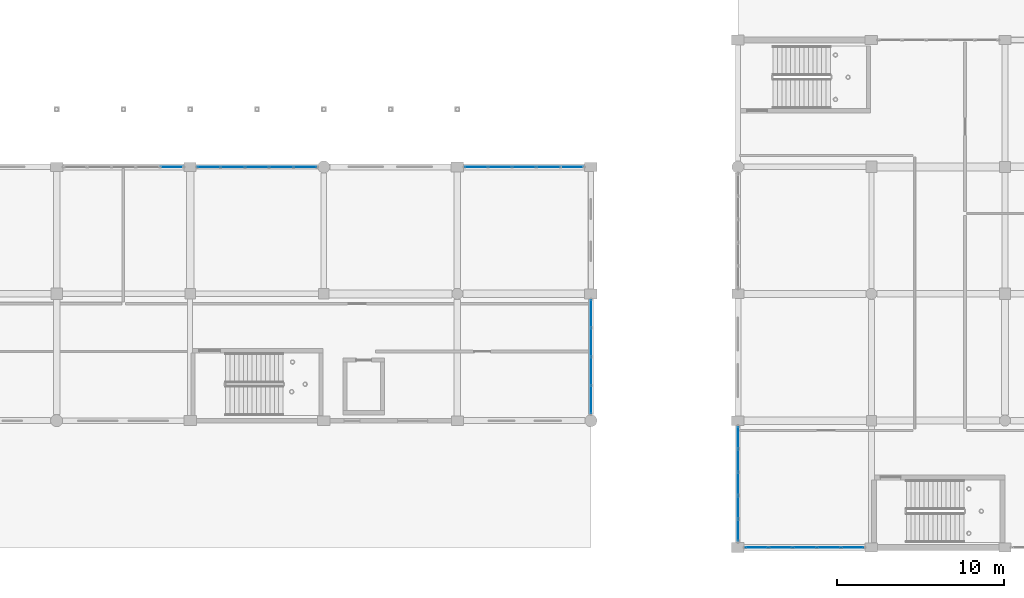
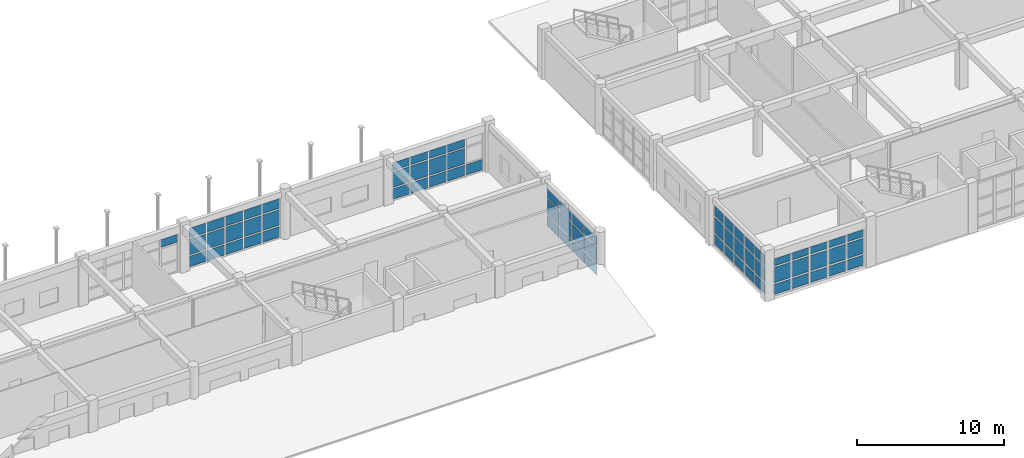
# One storey, part 146 of 195: 71 plates, 6 elements without a shape of their own.
"""IFC4 building model written with IfcOpenShell, lengths in metres."""

from ifc_helpers import new_model, si_unit, direction, frame, origin, origin_2d, place, context, subcontext, project, spatial, rectangle, extrude, material, layer, layer_set, type_object, element, aggregate, save


model = new_model("IFC4")

# Units and contexts
model_context = context("Model", 3, precision=1e-05, world=origin(), true_north=direction((0.0, 1.0)))
body_context = subcontext(model_context, "Body", "Model", "MODEL_VIEW")
ifc_project = project(units=[si_unit("LENGTHUNIT", "METRE"), si_unit("AREAUNIT", "SQUARE_METRE"), si_unit("VOLUMEUNIT", "CUBIC_METRE"), si_unit("PLANEANGLEUNIT", "RADIAN"), si_unit("MASSUNIT", "GRAM", prefix="KILO")], contexts=[model_context])

# Site, building, storey
site_placement = place(None, origin())
site = spatial("IfcSite", under=ifc_project, at=site_placement, CompositionType="ELEMENT")
building_placement = place(site_placement, origin())
building = spatial("IfcBuilding", under=site, at=building_placement, Name="Kharva Crest Polytechnic", CompositionType="ELEMENT")
storey_placement = place(building_placement, frame((0.0, 0.0, 9.0)))
storey = spatial("IfcBuildingStorey", under=building, at=storey_placement, Name="L02", CompositionType="ELEMENT", Elevation=9.0)

# Curtain wall, plates
ifc_material = material(Name="Tempered insulated glass", Category="glass")
curtain_wall_type_1 = type_object("IfcCurtainWallType", Name="CW-SYS-COURT", PredefinedType="USERDEFINED", material=ifc_material)
curtain_wall_1_placement = place(storey_placement, origin())
curtain_wall_1 = element("IfcCurtainWall", 1, at=curtain_wall_1_placement, inside=storey, type_object=curtain_wall_type_1, Name="L02 Glazed Curtain Wall CW-080", ObjectType="CURTAIN WALL", PredefinedType="USERDEFINED")
ifc_layer_1 = layer(ifc_material, 0.02392578125, Name="Tempered insulated glass")
ifc_layer_set_1 = layer_set([ifc_layer_1], Name="Tempered insulated glass")
plate_type_1 = type_object("IfcPlateType", Name="CWP-GLZ-24", PredefinedType="CURTAIN_PANEL", material=ifc_layer_set_1)
plate_1_placement = place(storey_placement, frame((112.0, 8.851318359375, 0.119873046875), z_axis=(0.0, 0.0, 1.0), x_axis=(0.0, 1.0, 0.0)))
plate_1 = element("IfcPlate", 2, at=plate_1_placement, type_object=plate_type_1, Name="CW-080 panel 1.1", PredefinedType="CURTAIN_PANEL", context=body_context, shape_type="SweptSolid", body=[
    extrude(rectangle(XDim=1.612548828125, YDim=0.02392578125, at=origin_2d()), origin(), (0.0, 0.0, 1.0), 0.8701171875),
])
plate_2_placement = place(storey_placement, frame((112.0, 8.851318359375, 1.10986328125), z_axis=(0.0, 0.0, 1.0), x_axis=(0.0, 1.0, 0.0)))
plate_2 = element("IfcPlate", 3, at=plate_2_placement, type_object=plate_type_1, Name="CW-080 panel 1.2", PredefinedType="CURTAIN_PANEL", context=body_context, shape_type="SweptSolid", body=[
    extrude(rectangle(XDim=1.612548828125, YDim=0.02392578125, at=origin_2d()), origin(), (0.0, 0.0, 1.0), 1.280029296875),
])
plate_3_placement = place(storey_placement, frame((112.0, 8.851318359375, 2.510009765625), z_axis=(0.0, 0.0, 1.0), x_axis=(0.0, 1.0, 0.0)))
plate_3 = element("IfcPlate", 4, at=plate_3_placement, type_object=plate_type_1, Name="CW-080 panel 1.3", PredefinedType="CURTAIN_PANEL", context=body_context, shape_type="SweptSolid", body=[
    extrude(rectangle(XDim=1.612548828125, YDim=0.02392578125, at=origin_2d()), origin(), (0.0, 0.0, 1.0), 0.77001953125),
])
plate_4_placement = place(storey_placement, frame((112.0, 10.563720703125, 0.119873046875), z_axis=(0.0, 0.0, 1.0), x_axis=(0.0, 1.0, 0.0)))
plate_4 = element("IfcPlate", 5, at=plate_4_placement, type_object=plate_type_1, Name="CW-080 panel 2.1", PredefinedType="CURTAIN_PANEL", context=body_context, shape_type="SweptSolid", body=[
    extrude(rectangle(XDim=1.652587890625, YDim=0.02392578125, at=origin_2d()), origin(), (0.0, 0.0, 1.0), 0.8701171875),
])
plate_5_placement = place(storey_placement, frame((112.0, 10.563720703125, 1.10986328125), z_axis=(0.0, 0.0, 1.0), x_axis=(0.0, 1.0, 0.0)))
plate_5 = element("IfcPlate", 6, at=plate_5_placement, type_object=plate_type_1, Name="CW-080 panel 2.2", PredefinedType="CURTAIN_PANEL", context=body_context, shape_type="SweptSolid", body=[
    extrude(rectangle(XDim=1.652587890625, YDim=0.02392578125, at=origin_2d()), origin(), (0.0, 0.0, 1.0), 1.280029296875),
])
plate_6_placement = place(storey_placement, frame((112.0, 10.563720703125, 2.510009765625), z_axis=(0.0, 0.0, 1.0), x_axis=(0.0, 1.0, 0.0)))
plate_6 = element("IfcPlate", 7, at=plate_6_placement, type_object=plate_type_1, Name="CW-080 panel 2.3", PredefinedType="CURTAIN_PANEL", context=body_context, shape_type="SweptSolid", body=[
    extrude(rectangle(XDim=1.652587890625, YDim=0.02392578125, at=origin_2d()), origin(), (0.0, 0.0, 1.0), 0.77001953125),
])
plate_7_placement = place(storey_placement, frame((112.0, 12.296142578125, 0.119873046875), z_axis=(0.0, 0.0, 1.0), x_axis=(0.0, 1.0, 0.0)))
plate_7 = element("IfcPlate", 8, at=plate_7_placement, type_object=plate_type_1, Name="CW-080 panel 3.1", PredefinedType="CURTAIN_PANEL", context=body_context, shape_type="SweptSolid", body=[
    extrude(rectangle(XDim=1.652587890625, YDim=0.02392578125, at=origin_2d()), origin(), (0.0, 0.0, 1.0), 0.8701171875),
])
plate_8_placement = place(storey_placement, frame((112.0, 12.296142578125, 1.10986328125), z_axis=(0.0, 0.0, 1.0), x_axis=(0.0, 1.0, 0.0)))
plate_8 = element("IfcPlate", 9, at=plate_8_placement, type_object=plate_type_1, Name="CW-080 panel 3.2", PredefinedType="CURTAIN_PANEL", context=body_context, shape_type="SweptSolid", body=[
    extrude(rectangle(XDim=1.652587890625, YDim=0.02392578125, at=origin_2d()), origin(), (0.0, 0.0, 1.0), 1.280029296875),
])
plate_9_placement = place(storey_placement, frame((112.0, 12.296142578125, 2.510009765625), z_axis=(0.0, 0.0, 1.0), x_axis=(0.0, 1.0, 0.0)))
plate_9 = element("IfcPlate", 10, at=plate_9_placement, type_object=plate_type_1, Name="CW-080 panel 3.3", PredefinedType="CURTAIN_PANEL", context=body_context, shape_type="SweptSolid", body=[
    extrude(rectangle(XDim=1.652587890625, YDim=0.02392578125, at=origin_2d()), origin(), (0.0, 0.0, 1.0), 0.77001953125),
])
plate_10_placement = place(storey_placement, frame((112.0, 14.0087890625, 0.119873046875), z_axis=(0.0, 0.0, 1.0), x_axis=(0.0, 1.0, 0.0)))
plate_10 = element("IfcPlate", 11, at=plate_10_placement, type_object=plate_type_1, Name="CW-080 panel 4.1", PredefinedType="CURTAIN_PANEL", context=body_context, shape_type="SweptSolid", body=[
    extrude(rectangle(XDim=1.612548828125, YDim=0.02392578125, at=origin_2d()), origin(), (0.0, 0.0, 1.0), 0.8701171875),
])
plate_11_placement = place(storey_placement, frame((112.0, 14.0087890625, 1.10986328125), z_axis=(0.0, 0.0, 1.0), x_axis=(0.0, 1.0, 0.0)))
plate_11 = element("IfcPlate", 12, at=plate_11_placement, type_object=plate_type_1, Name="CW-080 panel 4.2", PredefinedType="CURTAIN_PANEL", context=body_context, shape_type="SweptSolid", body=[
    extrude(rectangle(XDim=1.612548828125, YDim=0.02392578125, at=origin_2d()), origin(), (0.0, 0.0, 1.0), 1.280029296875),
])
plate_12_placement = place(storey_placement, frame((112.0, 14.0087890625, 2.510009765625), z_axis=(0.0, 0.0, 1.0), x_axis=(0.0, 1.0, 0.0)))
plate_12 = element("IfcPlate", 13, at=plate_12_placement, type_object=plate_type_1, Name="CW-080 panel 4.3", PredefinedType="CURTAIN_PANEL", context=body_context, shape_type="SweptSolid", body=[
    extrude(rectangle(XDim=1.612548828125, YDim=0.02392578125, at=origin_2d()), origin(), (0.0, 0.0, 1.0), 0.77001953125),
])
aggregate(curtain_wall_1, [plate_1, plate_2, plate_3, plate_4, plate_5, plate_6, plate_7, plate_8, plate_9, plate_10, plate_11, plate_12])

curtain_wall_2_placement = place(storey_placement, origin())
curtain_wall_2 = element("IfcCurtainWall", 14, at=curtain_wall_2_placement, inside=storey, type_object=curtain_wall_type_1, Name="L02 Glazed Curtain Wall CW-081", ObjectType="CURTAIN WALL", PredefinedType="USERDEFINED")
plate_13_placement = place(storey_placement, frame((110.8759765625, 22.800048828125, 0.119873046875), z_axis=(0.0, 0.0, 1.0), x_axis=(-1.0, 0.0, 0.0)))
plate_13 = element("IfcPlate", 15, at=plate_13_placement, type_object=plate_type_1, Name="CW-081 panel 1.1", PredefinedType="CURTAIN_PANEL", context=body_context, shape_type="SweptSolid", body=[
    extrude(rectangle(XDim=1.327880859375, YDim=0.02392578125, at=origin_2d()), origin(), (0.0, 0.0, 1.0), 0.8701171875),
])
plate_14_placement = place(storey_placement, frame((109.447998046875, 22.800048828125, 0.119873046875), z_axis=(0.0, 0.0, 1.0), x_axis=(-1.0, 0.0, 0.0)))
plate_14 = element("IfcPlate", 16, at=plate_14_placement, type_object=plate_type_1, Name="CW-081 panel 2.1", PredefinedType="CURTAIN_PANEL", context=body_context, shape_type="SweptSolid", body=[
    extrude(rectangle(XDim=1.367919921875, YDim=0.02392578125, at=origin_2d()), origin(), (0.0, 0.0, 1.0), 0.8701171875),
])
plate_15_placement = place(storey_placement, frame((109.447998046875, 22.800048828125, 1.10986328125), z_axis=(0.0, 0.0, 1.0), x_axis=(-1.0, 0.0, 0.0)))
plate_15 = element("IfcPlate", 17, at=plate_15_placement, type_object=plate_type_1, Name="CW-081 panel 2.2", PredefinedType="CURTAIN_PANEL", context=body_context, shape_type="SweptSolid", body=[
    extrude(rectangle(XDim=1.367919921875, YDim=0.02392578125, at=origin_2d()), origin(), (0.0, 0.0, 1.0), 1.280029296875),
])
plate_16_placement = place(storey_placement, frame((109.447998046875, 22.800048828125, 2.51025390625), z_axis=(0.0, 0.0, 1.0), x_axis=(-1.0, 0.0, 0.0)))
plate_16 = element("IfcPlate", 18, at=plate_16_placement, type_object=plate_type_1, Name="CW-081 panel 2.3", PredefinedType="CURTAIN_PANEL", context=body_context, shape_type="SweptSolid", body=[
    extrude(rectangle(XDim=1.367919921875, YDim=0.02392578125, at=origin_2d()), origin(), (0.0, 0.0, 1.0), 0.639892578125),
])
plate_17_placement = place(storey_placement, frame((108.0, 22.800048828125, 0.119873046875), z_axis=(0.0, 0.0, 1.0), x_axis=(-1.0, 0.0, 0.0)))
plate_17 = element("IfcPlate", 19, at=plate_17_placement, type_object=plate_type_1, Name="CW-081 panel 3.1", PredefinedType="CURTAIN_PANEL", context=body_context, shape_type="SweptSolid", body=[
    extrude(rectangle(XDim=1.367919921875, YDim=0.02392578125, at=origin_2d()), origin(), (0.0, 0.0, 1.0), 0.8701171875),
])
plate_18_placement = place(storey_placement, frame((108.0, 22.800048828125, 1.10986328125), z_axis=(0.0, 0.0, 1.0), x_axis=(-1.0, 0.0, 0.0)))
plate_18 = element("IfcPlate", 20, at=plate_18_placement, type_object=plate_type_1, Name="CW-081 panel 3.2", PredefinedType="CURTAIN_PANEL", context=body_context, shape_type="SweptSolid", body=[
    extrude(rectangle(XDim=1.367919921875, YDim=0.02392578125, at=origin_2d()), origin(), (0.0, 0.0, 1.0), 1.280029296875),
])
plate_19_placement = place(storey_placement, frame((108.0, 22.800048828125, 2.51025390625), z_axis=(0.0, 0.0, 1.0), x_axis=(-1.0, 0.0, 0.0)))
plate_19 = element("IfcPlate", 21, at=plate_19_placement, type_object=plate_type_1, Name="CW-081 panel 3.3", PredefinedType="CURTAIN_PANEL", context=body_context, shape_type="SweptSolid", body=[
    extrude(rectangle(XDim=1.367919921875, YDim=0.02392578125, at=origin_2d()), origin(), (0.0, 0.0, 1.0), 0.639892578125),
])
plate_20_placement = place(storey_placement, frame((106.552001953125, 22.800048828125, 0.119873046875), z_axis=(0.0, 0.0, 1.0), x_axis=(-1.0, 0.0, 0.0)))
plate_20 = element("IfcPlate", 22, at=plate_20_placement, type_object=plate_type_1, Name="CW-081 panel 4.1", PredefinedType="CURTAIN_PANEL", context=body_context, shape_type="SweptSolid", body=[
    extrude(rectangle(XDim=1.367919921875, YDim=0.02392578125, at=origin_2d()), origin(), (0.0, 0.0, 1.0), 0.8701171875),
])
plate_21_placement = place(storey_placement, frame((106.552001953125, 22.800048828125, 1.10986328125), z_axis=(0.0, 0.0, 1.0), x_axis=(-1.0, 0.0, 0.0)))
plate_21 = element("IfcPlate", 23, at=plate_21_placement, type_object=plate_type_1, Name="CW-081 panel 4.2", PredefinedType="CURTAIN_PANEL", context=body_context, shape_type="SweptSolid", body=[
    extrude(rectangle(XDim=1.367919921875, YDim=0.02392578125, at=origin_2d()), origin(), (0.0, 0.0, 1.0), 1.280029296875),
])
plate_22_placement = place(storey_placement, frame((106.552001953125, 22.800048828125, 2.51025390625), z_axis=(0.0, 0.0, 1.0), x_axis=(-1.0, 0.0, 0.0)))
plate_22 = element("IfcPlate", 24, at=plate_22_placement, type_object=plate_type_1, Name="CW-081 panel 4.3", PredefinedType="CURTAIN_PANEL", context=body_context, shape_type="SweptSolid", body=[
    extrude(rectangle(XDim=1.367919921875, YDim=0.02392578125, at=origin_2d()), origin(), (0.0, 0.0, 1.0), 0.639892578125),
])
plate_23_placement = place(storey_placement, frame((105.1240234375, 22.800048828125, 0.119873046875), z_axis=(0.0, 0.0, 1.0), x_axis=(-1.0, 0.0, 0.0)))
plate_23 = element("IfcPlate", 25, at=plate_23_placement, type_object=plate_type_1, Name="CW-081 panel 5.1", PredefinedType="CURTAIN_PANEL", context=body_context, shape_type="SweptSolid", body=[
    extrude(rectangle(XDim=1.327880859375, YDim=0.02392578125, at=origin_2d()), origin(), (0.0, 0.0, 1.0), 0.8701171875),
])
plate_24_placement = place(storey_placement, frame((105.1240234375, 22.800048828125, 1.10986328125), z_axis=(0.0, 0.0, 1.0), x_axis=(-1.0, 0.0, 0.0)))
plate_24 = element("IfcPlate", 26, at=plate_24_placement, type_object=plate_type_1, Name="CW-081 panel 5.2", PredefinedType="CURTAIN_PANEL", context=body_context, shape_type="SweptSolid", body=[
    extrude(rectangle(XDim=1.327880859375, YDim=0.02392578125, at=origin_2d()), origin(), (0.0, 0.0, 1.0), 1.280029296875),
])
plate_25_placement = place(storey_placement, frame((105.1240234375, 22.800048828125, 2.51025390625), z_axis=(0.0, 0.0, 1.0), x_axis=(-1.0, 0.0, 0.0)))
plate_25 = element("IfcPlate", 27, at=plate_25_placement, type_object=plate_type_1, Name="CW-081 panel 5.3", PredefinedType="CURTAIN_PANEL", context=body_context, shape_type="SweptSolid", body=[
    extrude(rectangle(XDim=1.327880859375, YDim=0.02392578125, at=origin_2d()), origin(), (0.0, 0.0, 1.0), 0.639892578125),
])
aggregate(curtain_wall_2, [plate_13, plate_14, plate_15, plate_16, plate_17, plate_18, plate_19, plate_20, plate_21, plate_22, plate_23, plate_24, plate_25])

curtain_wall_3_placement = place(storey_placement, origin())
curtain_wall_3 = element("IfcCurtainWall", 28, at=curtain_wall_3_placement, inside=storey, type_object=curtain_wall_type_1, Name="L02 Glazed Curtain Wall CW-082", ObjectType="CURTAIN WALL", PredefinedType="USERDEFINED")
plate_26_placement = place(storey_placement, frame((94.887939453125, 22.800048828125, 0.119873046875), z_axis=(0.0, 0.0, 1.0), x_axis=(-1.0, 0.0, 0.0)))
plate_26 = element("IfcPlate", 29, at=plate_26_placement, type_object=plate_type_1, Name="CW-082 panel 1.1", PredefinedType="CURTAIN_PANEL", context=body_context, shape_type="SweptSolid", body=[
    extrude(rectangle(XDim=1.333984375, YDim=0.02392578125, at=origin_2d()), origin(), (0.0, 0.0, 1.0), 0.8701171875),
])
plate_27_placement = place(storey_placement, frame((94.887939453125, 22.800048828125, 1.10986328125), z_axis=(0.0, 0.0, 1.0), x_axis=(-1.0, 0.0, 0.0)))
plate_27 = element("IfcPlate", 30, at=plate_27_placement, type_object=plate_type_1, Name="CW-082 panel 1.2", PredefinedType="CURTAIN_PANEL", context=body_context, shape_type="SweptSolid", body=[
    extrude(rectangle(XDim=1.333984375, YDim=0.02392578125, at=origin_2d()), origin(), (0.0, 0.0, 1.0), 1.280029296875),
])
plate_28_placement = place(storey_placement, frame((94.887939453125, 22.800048828125, 2.510009765625), z_axis=(0.0, 0.0, 1.0), x_axis=(-1.0, 0.0, 0.0)))
plate_28 = element("IfcPlate", 31, at=plate_28_placement, type_object=plate_type_1, Name="CW-082 panel 1.3", PredefinedType="CURTAIN_PANEL", context=body_context, shape_type="SweptSolid", body=[
    extrude(rectangle(XDim=1.333984375, YDim=0.02392578125, at=origin_2d()), origin(), (0.0, 0.0, 1.0), 0.7900390625),
])
plate_29_placement = place(storey_placement, frame((93.4541015625, 22.800048828125, 0.119873046875), z_axis=(0.0, 0.0, 1.0), x_axis=(-1.0, 0.0, 0.0)))
plate_29 = element("IfcPlate", 32, at=plate_29_placement, type_object=plate_type_1, Name="CW-082 panel 2.1", PredefinedType="CURTAIN_PANEL", context=body_context, shape_type="SweptSolid", body=[
    extrude(rectangle(XDim=1.3740234375, YDim=0.02392578125, at=origin_2d()), origin(), (0.0, 0.0, 1.0), 0.8701171875),
])
plate_30_placement = place(storey_placement, frame((93.4541015625, 22.800048828125, 1.10986328125), z_axis=(0.0, 0.0, 1.0), x_axis=(-1.0, 0.0, 0.0)))
plate_30 = element("IfcPlate", 33, at=plate_30_placement, type_object=plate_type_1, Name="CW-082 panel 2.2", PredefinedType="CURTAIN_PANEL", context=body_context, shape_type="SweptSolid", body=[
    extrude(rectangle(XDim=1.3740234375, YDim=0.02392578125, at=origin_2d()), origin(), (0.0, 0.0, 1.0), 1.280029296875),
])
plate_31_placement = place(storey_placement, frame((93.4541015625, 22.800048828125, 2.510009765625), z_axis=(0.0, 0.0, 1.0), x_axis=(-1.0, 0.0, 0.0)))
plate_31 = element("IfcPlate", 34, at=plate_31_placement, type_object=plate_type_1, Name="CW-082 panel 2.3", PredefinedType="CURTAIN_PANEL", context=body_context, shape_type="SweptSolid", body=[
    extrude(rectangle(XDim=1.3740234375, YDim=0.02392578125, at=origin_2d()), origin(), (0.0, 0.0, 1.0), 0.7900390625),
])
plate_32_placement = place(storey_placement, frame((92.0, 22.800048828125, 0.119873046875), z_axis=(0.0, 0.0, 1.0), x_axis=(-1.0, 0.0, 0.0)))
plate_32 = element("IfcPlate", 35, at=plate_32_placement, type_object=plate_type_1, Name="CW-082 panel 3.1", PredefinedType="CURTAIN_PANEL", context=body_context, shape_type="SweptSolid", body=[
    extrude(rectangle(XDim=1.3740234375, YDim=0.02392578125, at=origin_2d()), origin(), (0.0, 0.0, 1.0), 0.8701171875),
])
plate_33_placement = place(storey_placement, frame((92.0, 22.800048828125, 1.10986328125), z_axis=(0.0, 0.0, 1.0), x_axis=(-1.0, 0.0, 0.0)))
plate_33 = element("IfcPlate", 36, at=plate_33_placement, type_object=plate_type_1, Name="CW-082 panel 3.2", PredefinedType="CURTAIN_PANEL", context=body_context, shape_type="SweptSolid", body=[
    extrude(rectangle(XDim=1.3740234375, YDim=0.02392578125, at=origin_2d()), origin(), (0.0, 0.0, 1.0), 1.280029296875),
])
plate_34_placement = place(storey_placement, frame((92.0, 22.800048828125, 2.510009765625), z_axis=(0.0, 0.0, 1.0), x_axis=(-1.0, 0.0, 0.0)))
plate_34 = element("IfcPlate", 37, at=plate_34_placement, type_object=plate_type_1, Name="CW-082 panel 3.3", PredefinedType="CURTAIN_PANEL", context=body_context, shape_type="SweptSolid", body=[
    extrude(rectangle(XDim=1.3740234375, YDim=0.02392578125, at=origin_2d()), origin(), (0.0, 0.0, 1.0), 0.7900390625),
])
plate_35_placement = place(storey_placement, frame((90.5458984375, 22.800048828125, 0.119873046875), z_axis=(0.0, 0.0, 1.0), x_axis=(-1.0, 0.0, 0.0)))
plate_35 = element("IfcPlate", 38, at=plate_35_placement, type_object=plate_type_1, Name="CW-082 panel 4.1", PredefinedType="CURTAIN_PANEL", context=body_context, shape_type="SweptSolid", body=[
    extrude(rectangle(XDim=1.3740234375, YDim=0.02392578125, at=origin_2d()), origin(), (0.0, 0.0, 1.0), 0.8701171875),
])
plate_36_placement = place(storey_placement, frame((90.5458984375, 22.800048828125, 1.10986328125), z_axis=(0.0, 0.0, 1.0), x_axis=(-1.0, 0.0, 0.0)))
plate_36 = element("IfcPlate", 39, at=plate_36_placement, type_object=plate_type_1, Name="CW-082 panel 4.2", PredefinedType="CURTAIN_PANEL", context=body_context, shape_type="SweptSolid", body=[
    extrude(rectangle(XDim=1.3740234375, YDim=0.02392578125, at=origin_2d()), origin(), (0.0, 0.0, 1.0), 1.280029296875),
])
plate_37_placement = place(storey_placement, frame((90.5458984375, 22.800048828125, 2.510009765625), z_axis=(0.0, 0.0, 1.0), x_axis=(-1.0, 0.0, 0.0)))
plate_37 = element("IfcPlate", 40, at=plate_37_placement, type_object=plate_type_1, Name="CW-082 panel 4.3", PredefinedType="CURTAIN_PANEL", context=body_context, shape_type="SweptSolid", body=[
    extrude(rectangle(XDim=1.3740234375, YDim=0.02392578125, at=origin_2d()), origin(), (0.0, 0.0, 1.0), 0.7900390625),
])
plate_38_placement = place(storey_placement, frame((89.112060546875, 22.800048828125, 0.119873046875), z_axis=(0.0, 0.0, 1.0), x_axis=(-1.0, 0.0, 0.0)))
plate_38 = element("IfcPlate", 41, at=plate_38_placement, type_object=plate_type_1, Name="CW-082 panel 5.1", PredefinedType="CURTAIN_PANEL", context=body_context, shape_type="SweptSolid", body=[
    extrude(rectangle(XDim=1.333984375, YDim=0.02392578125, at=origin_2d()), origin(), (0.0, 0.0, 1.0), 0.8701171875),
])
plate_39_placement = place(storey_placement, frame((89.112060546875, 22.800048828125, 1.10986328125), z_axis=(0.0, 0.0, 1.0), x_axis=(-1.0, 0.0, 0.0)))
plate_39 = element("IfcPlate", 42, at=plate_39_placement, type_object=plate_type_1, Name="CW-082 panel 5.2", PredefinedType="CURTAIN_PANEL", context=body_context, shape_type="SweptSolid", body=[
    extrude(rectangle(XDim=1.333984375, YDim=0.02392578125, at=origin_2d()), origin(), (0.0, 0.0, 1.0), 1.280029296875),
])
plate_40_placement = place(storey_placement, frame((89.112060546875, 22.800048828125, 2.510009765625), z_axis=(0.0, 0.0, 1.0), x_axis=(-1.0, 0.0, 0.0)))
plate_40 = element("IfcPlate", 43, at=plate_40_placement, type_object=plate_type_1, Name="CW-082 panel 5.3", PredefinedType="CURTAIN_PANEL", context=body_context, shape_type="SweptSolid", body=[
    extrude(rectangle(XDim=1.333984375, YDim=0.02392578125, at=origin_2d()), origin(), (0.0, 0.0, 1.0), 0.7900390625),
])
aggregate(curtain_wall_3, [plate_26, plate_27, plate_28, plate_29, plate_30, plate_31, plate_32, plate_33, plate_34, plate_35, plate_36, plate_37, plate_38, plate_39, plate_40])

# Curtain wall, plate
curtain_wall_4_placement = place(storey_placement, origin())
curtain_wall_4 = element("IfcCurtainWall", 44, at=curtain_wall_4_placement, inside=storey, type_object=curtain_wall_type_1, Name="L02 Glazed Curtain Wall CW-083", ObjectType="CURTAIN WALL", PredefinedType="USERDEFINED")
plate_41_placement = place(storey_placement, frame((86.889404296875, 22.800048828125, 2.51025390625), z_axis=(0.0, 0.0, 1.0), x_axis=(-1.0, 0.0, 0.0)))
plate_41 = element("IfcPlate", 45, at=plate_41_placement, type_object=plate_type_1, Name="CW-083 panel 1.3", PredefinedType="CURTAIN_PANEL", context=body_context, shape_type="SweptSolid", body=[
    extrude(rectangle(XDim=1.3310546875, YDim=0.02392578125, at=origin_2d()), origin(), (0.0, 0.0, 1.0), 0.639892578125),
])
aggregate(curtain_wall_4, [plate_41])

# Curtain wall, plates
curtain_wall_type_2 = type_object("IfcCurtainWallType", Name="CW-SYS-REFECTORY", PredefinedType="USERDEFINED", material=ifc_material)
curtain_wall_5_placement = place(storey_placement, origin())
curtain_wall_5 = element("IfcCurtainWall", 46, at=curtain_wall_5_placement, inside=storey, type_object=curtain_wall_type_2, Name="L02 Glazed Curtain Wall CW-093", ObjectType="CURTAIN WALL", PredefinedType="USERDEFINED")
ifc_layer_2 = layer(ifc_material, 0.030029296875, Name="Tempered insulated glass")
ifc_layer_set_2 = layer_set([ifc_layer_2], Name="Tempered insulated glass")
plate_type_2 = type_object("IfcPlateType", Name="CWP-GLZ-30", PredefinedType="CURTAIN_PANEL", material=ifc_layer_set_2)
plate_42_placement = place(storey_placement, frame((120.800048828125, 6.593505859375, 0.14013671875), z_axis=(0.0, 0.0, 1.0), x_axis=(0.0, -1.0, 0.0)))
plate_42 = element("IfcPlate", 47, at=plate_42_placement, type_object=plate_type_2, Name="CW-093 panel 1.1", PredefinedType="CURTAIN_PANEL", context=body_context, shape_type="SweptSolid", body=[
    extrude(rectangle(XDim=1.2529296875, YDim=0.030029296875, at=origin_2d()), origin(), (0.0, 0.0, 1.0), 0.840087890625),
])
plate_43_placement = place(storey_placement, frame((120.800048828125, 6.593505859375, 1.1201171875), z_axis=(0.0, 0.0, 1.0), x_axis=(0.0, -1.0, 0.0)))
plate_43 = element("IfcPlate", 48, at=plate_43_placement, type_object=plate_type_2, Name="CW-093 panel 1.2", PredefinedType="CURTAIN_PANEL", context=body_context, shape_type="SweptSolid", body=[
    extrude(rectangle(XDim=1.2529296875, YDim=0.030029296875, at=origin_2d()), origin(), (0.0, 0.0, 1.0), 1.260009765625),
])
plate_44_placement = place(storey_placement, frame((120.800048828125, 6.593505859375, 2.52001953125), z_axis=(0.0, 0.0, 1.0), x_axis=(0.0, -1.0, 0.0)))
plate_44 = element("IfcPlate", 49, at=plate_44_placement, type_object=plate_type_2, Name="CW-093 panel 1.3", PredefinedType="CURTAIN_PANEL", context=body_context, shape_type="SweptSolid", body=[
    extrude(rectangle(XDim=1.2529296875, YDim=0.030029296875, at=origin_2d()), origin(), (0.0, 0.0, 1.0), 0.820068359375),
])
plate_45_placement = place(storey_placement, frame((120.800048828125, 5.215576171875, 0.14013671875), z_axis=(0.0, 0.0, 1.0), x_axis=(0.0, -1.0, 0.0)))
plate_45 = element("IfcPlate", 50, at=plate_45_placement, type_object=plate_type_2, Name="CW-093 panel 2.1", PredefinedType="CURTAIN_PANEL", context=body_context, shape_type="SweptSolid", body=[
    extrude(rectangle(XDim=1.302978515625, YDim=0.030029296875, at=origin_2d()), origin(), (0.0, 0.0, 1.0), 0.840087890625),
])
plate_46_placement = place(storey_placement, frame((120.800048828125, 5.215576171875, 1.1201171875), z_axis=(0.0, 0.0, 1.0), x_axis=(0.0, -1.0, 0.0)))
plate_46 = element("IfcPlate", 51, at=plate_46_placement, type_object=plate_type_2, Name="CW-093 panel 2.2", PredefinedType="CURTAIN_PANEL", context=body_context, shape_type="SweptSolid", body=[
    extrude(rectangle(XDim=1.302978515625, YDim=0.030029296875, at=origin_2d()), origin(), (0.0, 0.0, 1.0), 1.260009765625),
])
plate_47_placement = place(storey_placement, frame((120.800048828125, 5.215576171875, 2.52001953125), z_axis=(0.0, 0.0, 1.0), x_axis=(0.0, -1.0, 0.0)))
plate_47 = element("IfcPlate", 52, at=plate_47_placement, type_object=plate_type_2, Name="CW-093 panel 2.3", PredefinedType="CURTAIN_PANEL", context=body_context, shape_type="SweptSolid", body=[
    extrude(rectangle(XDim=1.302978515625, YDim=0.030029296875, at=origin_2d()), origin(), (0.0, 0.0, 1.0), 0.820068359375),
])
plate_48_placement = place(storey_placement, frame((120.800048828125, 3.8125, 0.14013671875), z_axis=(0.0, 0.0, 1.0), x_axis=(0.0, -1.0, 0.0)))
plate_48 = element("IfcPlate", 53, at=plate_48_placement, type_object=plate_type_2, Name="CW-093 panel 3.1", PredefinedType="CURTAIN_PANEL", context=body_context, shape_type="SweptSolid", body=[
    extrude(rectangle(XDim=1.302978515625, YDim=0.030029296875, at=origin_2d()), origin(), (0.0, 0.0, 1.0), 0.840087890625),
])
plate_49_placement = place(storey_placement, frame((120.800048828125, 3.8125, 1.1201171875), z_axis=(0.0, 0.0, 1.0), x_axis=(0.0, -1.0, 0.0)))
plate_49 = element("IfcPlate", 54, at=plate_49_placement, type_object=plate_type_2, Name="CW-093 panel 3.2", PredefinedType="CURTAIN_PANEL", context=body_context, shape_type="SweptSolid", body=[
    extrude(rectangle(XDim=1.302978515625, YDim=0.030029296875, at=origin_2d()), origin(), (0.0, 0.0, 1.0), 1.260009765625),
])
plate_50_placement = place(storey_placement, frame((120.800048828125, 3.8125, 2.52001953125), z_axis=(0.0, 0.0, 1.0), x_axis=(0.0, -1.0, 0.0)))
plate_50 = element("IfcPlate", 55, at=plate_50_placement, type_object=plate_type_2, Name="CW-093 panel 3.3", PredefinedType="CURTAIN_PANEL", context=body_context, shape_type="SweptSolid", body=[
    extrude(rectangle(XDim=1.302978515625, YDim=0.030029296875, at=origin_2d()), origin(), (0.0, 0.0, 1.0), 0.820068359375),
])
plate_51_placement = place(storey_placement, frame((120.800048828125, 2.409423828125, 0.14013671875), z_axis=(0.0, 0.0, 1.0), x_axis=(0.0, -1.0, 0.0)))
plate_51 = element("IfcPlate", 56, at=plate_51_placement, type_object=plate_type_2, Name="CW-093 panel 4.1", PredefinedType="CURTAIN_PANEL", context=body_context, shape_type="SweptSolid", body=[
    extrude(rectangle(XDim=1.302978515625, YDim=0.030029296875, at=origin_2d()), origin(), (0.0, 0.0, 1.0), 0.840087890625),
])
plate_52_placement = place(storey_placement, frame((120.800048828125, 2.409423828125, 1.1201171875), z_axis=(0.0, 0.0, 1.0), x_axis=(0.0, -1.0, 0.0)))
plate_52 = element("IfcPlate", 57, at=plate_52_placement, type_object=plate_type_2, Name="CW-093 panel 4.2", PredefinedType="CURTAIN_PANEL", context=body_context, shape_type="SweptSolid", body=[
    extrude(rectangle(XDim=1.302978515625, YDim=0.030029296875, at=origin_2d()), origin(), (0.0, 0.0, 1.0), 1.260009765625),
])
plate_53_placement = place(storey_placement, frame((120.800048828125, 2.409423828125, 2.52001953125), z_axis=(0.0, 0.0, 1.0), x_axis=(0.0, -1.0, 0.0)))
plate_53 = element("IfcPlate", 58, at=plate_53_placement, type_object=plate_type_2, Name="CW-093 panel 4.3", PredefinedType="CURTAIN_PANEL", context=body_context, shape_type="SweptSolid", body=[
    extrude(rectangle(XDim=1.302978515625, YDim=0.030029296875, at=origin_2d()), origin(), (0.0, 0.0, 1.0), 0.820068359375),
])
plate_54_placement = place(storey_placement, frame((120.800048828125, 1.031494140625, 0.14013671875), z_axis=(0.0, 0.0, 1.0), x_axis=(0.0, -1.0, 0.0)))
plate_54 = element("IfcPlate", 59, at=plate_54_placement, type_object=plate_type_2, Name="CW-093 panel 5.1", PredefinedType="CURTAIN_PANEL", context=body_context, shape_type="SweptSolid", body=[
    extrude(rectangle(XDim=1.2529296875, YDim=0.030029296875, at=origin_2d()), origin(), (0.0, 0.0, 1.0), 0.840087890625),
])
plate_55_placement = place(storey_placement, frame((120.800048828125, 1.031494140625, 1.1201171875), z_axis=(0.0, 0.0, 1.0), x_axis=(0.0, -1.0, 0.0)))
plate_55 = element("IfcPlate", 60, at=plate_55_placement, type_object=plate_type_2, Name="CW-093 panel 5.2", PredefinedType="CURTAIN_PANEL", context=body_context, shape_type="SweptSolid", body=[
    extrude(rectangle(XDim=1.2529296875, YDim=0.030029296875, at=origin_2d()), origin(), (0.0, 0.0, 1.0), 1.260009765625),
])
plate_56_placement = place(storey_placement, frame((120.800048828125, 1.031494140625, 2.52001953125), z_axis=(0.0, 0.0, 1.0), x_axis=(0.0, -1.0, 0.0)))
plate_56 = element("IfcPlate", 61, at=plate_56_placement, type_object=plate_type_2, Name="CW-093 panel 5.3", PredefinedType="CURTAIN_PANEL", context=body_context, shape_type="SweptSolid", body=[
    extrude(rectangle(XDim=1.2529296875, YDim=0.030029296875, at=origin_2d()), origin(), (0.0, 0.0, 1.0), 0.820068359375),
])
aggregate(curtain_wall_5, [plate_42, plate_43, plate_44, plate_45, plate_46, plate_47, plate_48, plate_49, plate_50, plate_51, plate_52, plate_53, plate_54, plate_55, plate_56])

curtain_wall_6_placement = place(storey_placement, origin())
curtain_wall_6 = element("IfcCurtainWall", 62, at=curtain_wall_6_placement, inside=storey, type_object=curtain_wall_type_2, Name="L02 Glazed Curtain Wall CW-094", ObjectType="CURTAIN WALL", PredefinedType="USERDEFINED")
plate_57_placement = place(storey_placement, frame((121.928955078125, 0.0, 0.14013671875), z_axis=(0.0, 0.0, 1.0), x_axis=(1.0, 0.0, 0.0)))
plate_57 = element("IfcPlate", 63, at=plate_57_placement, type_object=plate_type_2, Name="CW-094 panel 1.1", PredefinedType="CURTAIN_PANEL", context=body_context, shape_type="SweptSolid", body=[
    extrude(rectangle(XDim=1.298095703125, YDim=0.030029296875, at=origin_2d()), origin(), (0.0, 0.0, 1.0), 0.840087890625),
])
plate_58_placement = place(storey_placement, frame((121.928955078125, 0.0, 1.1201171875), z_axis=(0.0, 0.0, 1.0), x_axis=(1.0, 0.0, 0.0)))
plate_58 = element("IfcPlate", 64, at=plate_58_placement, type_object=plate_type_2, Name="CW-094 panel 1.2", PredefinedType="CURTAIN_PANEL", context=body_context, shape_type="SweptSolid", body=[
    extrude(rectangle(XDim=1.298095703125, YDim=0.030029296875, at=origin_2d()), origin(), (0.0, 0.0, 1.0), 1.260009765625),
])
plate_59_placement = place(storey_placement, frame((121.928955078125, 0.0, 2.52001953125), z_axis=(0.0, 0.0, 1.0), x_axis=(1.0, 0.0, 0.0)))
plate_59 = element("IfcPlate", 65, at=plate_59_placement, type_object=plate_type_2, Name="CW-094 panel 1.3", PredefinedType="CURTAIN_PANEL", context=body_context, shape_type="SweptSolid", body=[
    extrude(rectangle(XDim=1.298095703125, YDim=0.030029296875, at=origin_2d()), origin(), (0.0, 0.0, 1.0), 0.580078125),
])
plate_60_placement = place(storey_placement, frame((123.35205078125, 0.0, 0.14013671875), z_axis=(0.0, 0.0, 1.0), x_axis=(1.0, 0.0, 0.0)))
plate_60 = element("IfcPlate", 66, at=plate_60_placement, type_object=plate_type_2, Name="CW-094 panel 2.1", PredefinedType="CURTAIN_PANEL", context=body_context, shape_type="SweptSolid", body=[
    extrude(rectangle(XDim=1.347900390625, YDim=0.030029296875, at=origin_2d()), origin(), (0.0, 0.0, 1.0), 0.840087890625),
])
plate_61_placement = place(storey_placement, frame((123.35205078125, 0.0, 1.1201171875), z_axis=(0.0, 0.0, 1.0), x_axis=(1.0, 0.0, 0.0)))
plate_61 = element("IfcPlate", 67, at=plate_61_placement, type_object=plate_type_2, Name="CW-094 panel 2.2", PredefinedType="CURTAIN_PANEL", context=body_context, shape_type="SweptSolid", body=[
    extrude(rectangle(XDim=1.347900390625, YDim=0.030029296875, at=origin_2d()), origin(), (0.0, 0.0, 1.0), 1.260009765625),
])
plate_62_placement = place(storey_placement, frame((123.35205078125, 0.0, 2.52001953125), z_axis=(0.0, 0.0, 1.0), x_axis=(1.0, 0.0, 0.0)))
plate_62 = element("IfcPlate", 68, at=plate_62_placement, type_object=plate_type_2, Name="CW-094 panel 2.3", PredefinedType="CURTAIN_PANEL", context=body_context, shape_type="SweptSolid", body=[
    extrude(rectangle(XDim=1.347900390625, YDim=0.030029296875, at=origin_2d()), origin(), (0.0, 0.0, 1.0), 0.580078125),
])
plate_63_placement = place(storey_placement, frame((124.800048828125, 0.0, 0.14013671875), z_axis=(0.0, 0.0, 1.0), x_axis=(1.0, 0.0, 0.0)))
plate_63 = element("IfcPlate", 69, at=plate_63_placement, type_object=plate_type_2, Name="CW-094 panel 3.1", PredefinedType="CURTAIN_PANEL", context=body_context, shape_type="SweptSolid", body=[
    extrude(rectangle(XDim=1.347900390625, YDim=0.030029296875, at=origin_2d()), origin(), (0.0, 0.0, 1.0), 0.840087890625),
])
plate_64_placement = place(storey_placement, frame((124.800048828125, 0.0, 1.1201171875), z_axis=(0.0, 0.0, 1.0), x_axis=(1.0, 0.0, 0.0)))
plate_64 = element("IfcPlate", 70, at=plate_64_placement, type_object=plate_type_2, Name="CW-094 panel 3.2", PredefinedType="CURTAIN_PANEL", context=body_context, shape_type="SweptSolid", body=[
    extrude(rectangle(XDim=1.347900390625, YDim=0.030029296875, at=origin_2d()), origin(), (0.0, 0.0, 1.0), 1.260009765625),
])
plate_65_placement = place(storey_placement, frame((124.800048828125, 0.0, 2.52001953125), z_axis=(0.0, 0.0, 1.0), x_axis=(1.0, 0.0, 0.0)))
plate_65 = element("IfcPlate", 71, at=plate_65_placement, type_object=plate_type_2, Name="CW-094 panel 3.3", PredefinedType="CURTAIN_PANEL", context=body_context, shape_type="SweptSolid", body=[
    extrude(rectangle(XDim=1.347900390625, YDim=0.030029296875, at=origin_2d()), origin(), (0.0, 0.0, 1.0), 0.580078125),
])
plate_66_placement = place(storey_placement, frame((126.248046875, 0.0, 0.14013671875), z_axis=(0.0, 0.0, 1.0), x_axis=(1.0, 0.0, 0.0)))
plate_66 = element("IfcPlate", 72, at=plate_66_placement, type_object=plate_type_2, Name="CW-094 panel 4.1", PredefinedType="CURTAIN_PANEL", context=body_context, shape_type="SweptSolid", body=[
    extrude(rectangle(XDim=1.347900390625, YDim=0.030029296875, at=origin_2d()), origin(), (0.0, 0.0, 1.0), 0.840087890625),
])
plate_67_placement = place(storey_placement, frame((126.248046875, 0.0, 1.1201171875), z_axis=(0.0, 0.0, 1.0), x_axis=(1.0, 0.0, 0.0)))
plate_67 = element("IfcPlate", 73, at=plate_67_placement, type_object=plate_type_2, Name="CW-094 panel 4.2", PredefinedType="CURTAIN_PANEL", context=body_context, shape_type="SweptSolid", body=[
    extrude(rectangle(XDim=1.347900390625, YDim=0.030029296875, at=origin_2d()), origin(), (0.0, 0.0, 1.0), 1.260009765625),
])
plate_68_placement = place(storey_placement, frame((126.248046875, 0.0, 2.52001953125), z_axis=(0.0, 0.0, 1.0), x_axis=(1.0, 0.0, 0.0)))
plate_68 = element("IfcPlate", 74, at=plate_68_placement, type_object=plate_type_2, Name="CW-094 panel 4.3", PredefinedType="CURTAIN_PANEL", context=body_context, shape_type="SweptSolid", body=[
    extrude(rectangle(XDim=1.347900390625, YDim=0.030029296875, at=origin_2d()), origin(), (0.0, 0.0, 1.0), 0.580078125),
])
plate_69_placement = place(storey_placement, frame((127.6708984375, 0.0, 0.14013671875), z_axis=(0.0, 0.0, 1.0), x_axis=(1.0, 0.0, 0.0)))
plate_69 = element("IfcPlate", 75, at=plate_69_placement, type_object=plate_type_2, Name="CW-094 panel 5.1", PredefinedType="CURTAIN_PANEL", context=body_context, shape_type="SweptSolid", body=[
    extrude(rectangle(XDim=1.298095703125, YDim=0.030029296875, at=origin_2d()), origin(), (0.0, 0.0, 1.0), 0.840087890625),
])
plate_70_placement = place(storey_placement, frame((127.6708984375, 0.0, 1.1201171875), z_axis=(0.0, 0.0, 1.0), x_axis=(1.0, 0.0, 0.0)))
plate_70 = element("IfcPlate", 76, at=plate_70_placement, type_object=plate_type_2, Name="CW-094 panel 5.2", PredefinedType="CURTAIN_PANEL", context=body_context, shape_type="SweptSolid", body=[
    extrude(rectangle(XDim=1.298095703125, YDim=0.030029296875, at=origin_2d()), origin(), (0.0, 0.0, 1.0), 1.260009765625),
])
plate_71_placement = place(storey_placement, frame((127.6708984375, 0.0, 2.52001953125), z_axis=(0.0, 0.0, 1.0), x_axis=(1.0, 0.0, 0.0)))
plate_71 = element("IfcPlate", 77, at=plate_71_placement, type_object=plate_type_2, Name="CW-094 panel 5.3", PredefinedType="CURTAIN_PANEL", context=body_context, shape_type="SweptSolid", body=[
    extrude(rectangle(XDim=1.298095703125, YDim=0.030029296875, at=origin_2d()), origin(), (0.0, 0.0, 1.0), 0.580078125),
])
aggregate(curtain_wall_6, [plate_57, plate_58, plate_59, plate_60, plate_61, plate_62, plate_63, plate_64, plate_65, plate_66, plate_67, plate_68, plate_69, plate_70, plate_71])

save(model, "model.ifc")
